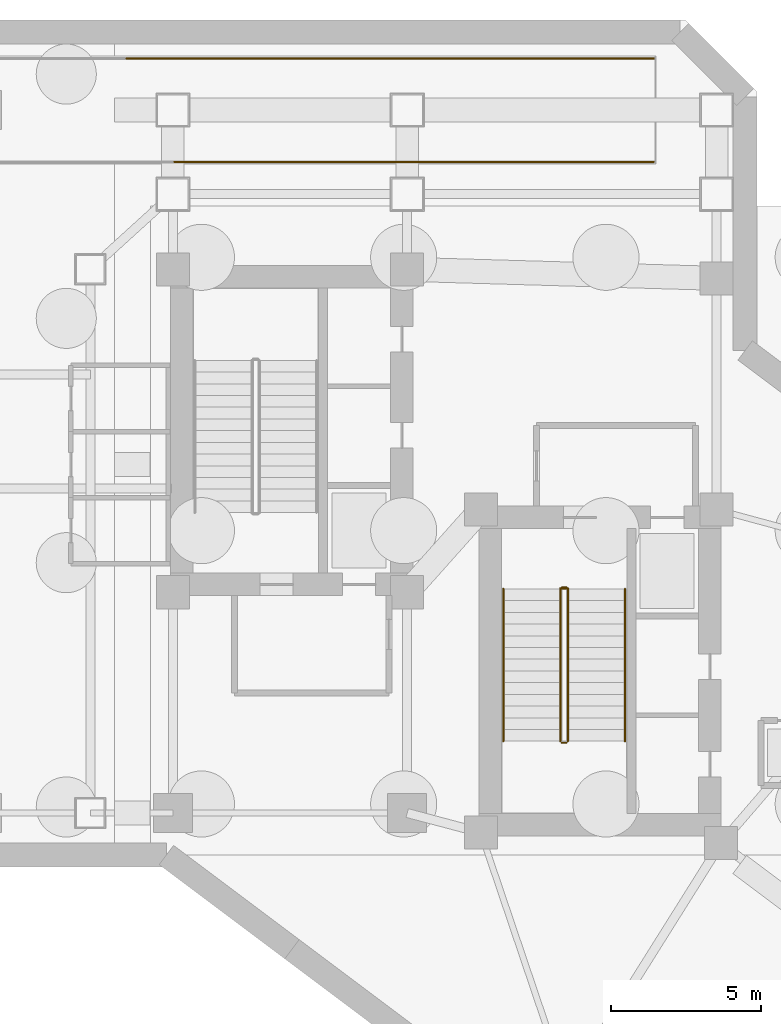
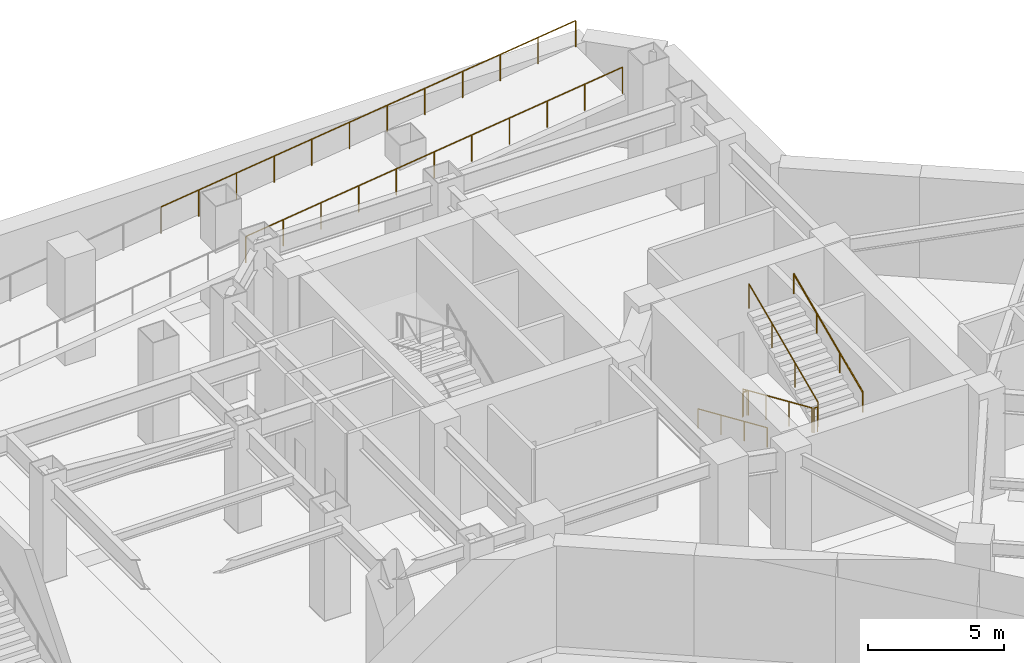
# One storey, part 8 of 9: 28 railings.
"""IFC4 building model written with IfcOpenShell, lengths in metres."""

from ifc_helpers import new_model, si_unit, direction, frame, origin, origin_2d, place, context, subcontext, project, spatial, circle, extrude, material, layer, layer_set, type_object, element, save


model = new_model("IFC4")

# Units and contexts
model_context = context("Model", 3, precision=1e-05, world=origin(), true_north=direction((0.0, 1.0)))
body_context = subcontext(model_context, "Body", "Model", "MODEL_VIEW")
ifc_project = project(units=[si_unit("LENGTHUNIT", "METRE"), si_unit("AREAUNIT", "SQUARE_METRE"), si_unit("VOLUMEUNIT", "CUBIC_METRE"), si_unit("PLANEANGLEUNIT", "RADIAN"), si_unit("MASSUNIT", "GRAM", prefix="KILO")], contexts=[model_context])

# Site, building, storey
site_placement = place(None, origin())
site = spatial("IfcSite", under=ifc_project, at=site_placement, CompositionType="ELEMENT")
building_placement = place(site_placement, origin())
building = spatial("IfcBuilding", under=site, at=building_placement, Name="Hatsunagi Terrace Concourse", CompositionType="ELEMENT")
storey_placement = place(building_placement, frame((0.0, 0.0, -9.60009765625)))
storey = spatial("IfcBuildingStorey", under=building, at=storey_placement, Name="B02", CompositionType="ELEMENT", Elevation=-9.60009765625)

# Railings
ifc_material_1 = material(Name="Stainless steel", Category="steel")
ifc_layer_1 = layer(ifc_material_1, 0.044921875)
ifc_layer_set_1 = layer_set([ifc_layer_1], Name="StairPitchHandrail_Tower2000")
railing_type_1 = type_object("IfcRailingType", Name="StairPitchHandrail_Tower2000", PredefinedType="HANDRAIL", material=ifc_layer_set_1)
railing_1_placement = place(storey_placement, frame((36.550048828125, 32.659912109375, 0.171630859375)))
element("IfcRailing", 1, at=railing_1_placement, inside=storey, type_object=railing_type_1, Name="B02 ST-B stair handrail 1", PredefinedType="HANDRAIL", context=body_context, shape_type="SweptSolid", body=[
    extrude(circle(Radius=0.02392578125, at=origin_2d()), frame((0.0, 0.0, 0.8759765625), z_axis=(0.0, -0.915461880969, 0.402404702373), x_axis=(1.0, 0.0, 0.0)), (0.0, 0.0, 1.0), 5.5380859375),
    extrude(circle(Radius=0.02099609375, at=origin_2d()), origin(), (0.0, 0.0, 1.0), 0.851806640625),
    extrude(circle(Radius=0.02099609375, at=origin_2d()), frame((0.0, -1.68994140625, 0.742919921875)), (0.0, 0.0, 1.0), 0.851806640625),
    extrude(circle(Radius=0.02099609375, at=origin_2d()), frame((0.0, -3.3798828125, 1.485595703125)), (0.0, 0.0, 1.0), 0.851806640625),
    extrude(circle(Radius=0.02099609375, at=origin_2d()), frame((0.0, -5.06982421875, 2.228515625)), (0.0, 0.0, 1.0), 0.851806640625),
])
railing_2_placement = place(storey_placement, frame((40.60009765625, 27.590087890625, 2.571533203125)))
element("IfcRailing", 2, at=railing_2_placement, inside=storey, type_object=railing_type_1, Name="B02 ST-B stair handrail 2", PredefinedType="HANDRAIL", context=body_context, shape_type="SweptSolid", body=[
    extrude(circle(Radius=0.02392578125, at=origin_2d()), frame((0.0, 0.0, 0.8759765625), z_axis=(0.0, 0.915461880969, 0.402404702373), x_axis=(-1.0, 0.0, 0.0)), (0.0, 0.0, 1.0), 5.5380859375),
    extrude(circle(Radius=0.02099609375, at=origin_2d()), origin(), (0.0, 0.0, 1.0), 0.851806640625),
    extrude(circle(Radius=0.02099609375, at=origin_2d()), frame((0.0, 1.68994140625, 0.742919921875)), (0.0, 0.0, 1.0), 0.851806640625),
    extrude(circle(Radius=0.02099609375, at=origin_2d()), frame((0.0, 3.3798828125, 1.485595703125)), (0.0, 0.0, 1.0), 0.851806640625),
    extrude(circle(Radius=0.02099609375, at=origin_2d()), frame((0.0, 5.06982421875, 2.228515625)), (0.0, 0.0, 1.0), 0.851806640625),
])
ifc_material_2 = material(Name="Stainless steel", Category="steel")
ifc_layer_2 = layer(ifc_material_2, 0.06005859375)
ifc_layer_set_2 = layer_set([ifc_layer_2], Name="StairWellGuard_Tower2000")
railing_type_2 = type_object("IfcRailingType", Name="StairWellGuard_Tower2000", PredefinedType="BALUSTRADE", material=ifc_layer_set_2)
railing_3_placement = place(storey_placement, frame((38.449951171875, 32.659912109375, 0.171630859375)))
element("IfcRailing", 3, at=railing_3_placement, inside=storey, type_object=railing_type_2, Name="B02 ST-B stair guard 1", PredefinedType="BALUSTRADE", context=body_context, shape_type="SweptSolid", body=[
    extrude(circle(Radius=0.02392578125, at=origin_2d()), frame((0.0, 0.0, 1.09619140625), z_axis=(0.0, -0.915461880969, 0.402404702373), x_axis=(1.0, 0.0, 0.0)), (0.0, 0.0, 1.0), 5.5380859375),
    extrude(circle(Radius=0.02099609375, at=origin_2d()), origin(), (0.0, 0.0, 1.0), 1.072021484375),
    extrude(circle(Radius=0.02099609375, at=origin_2d()), frame((0.0, -1.68994140625, 0.742919921875)), (0.0, 0.0, 1.0), 1.072021484375),
    extrude(circle(Radius=0.02099609375, at=origin_2d()), frame((0.0, -3.3798828125, 1.485595703125)), (0.0, 0.0, 1.0), 1.072021484375),
    extrude(circle(Radius=0.02099609375, at=origin_2d()), frame((0.0, -5.06982421875, 2.228515625)), (0.0, 0.0, 1.0), 1.072021484375),
])
railing_4_placement = place(storey_placement, frame((38.5, 27.5400390625, 2.400146484375)))
element("IfcRailing", 4, at=railing_4_placement, inside=storey, type_object=railing_type_2, Name="B02 ST-B stair guard 2", PredefinedType="BALUSTRADE", context=body_context, shape_type="SweptSolid", body=[
    extrude(circle(Radius=0.02392578125, at=origin_2d()), frame((0.0, 0.0, 1.09619140625), z_axis=(1.0, 0.0, 0.0), x_axis=(0.0, 1.0, 0.0)), (0.0, 0.0, 1.0), 0.14990234375),
    extrude(circle(Radius=0.02099609375, at=origin_2d()), origin(), (0.0, 0.0, 1.0), 1.072021484375),
    extrude(circle(Radius=0.02099609375, at=origin_2d()), frame((0.14990234375, 0.0, 0.0)), (0.0, 0.0, 1.0), 1.072021484375),
])
railing_5_placement = place(storey_placement, frame((38.699951171875, 27.590087890625, 2.571533203125)))
element("IfcRailing", 5, at=railing_5_placement, inside=storey, type_object=railing_type_2, Name="B02 ST-B stair guard 3", PredefinedType="BALUSTRADE", context=body_context, shape_type="SweptSolid", body=[
    extrude(circle(Radius=0.02392578125, at=origin_2d()), frame((0.0, 0.0, 1.09619140625), z_axis=(0.0, 0.915461880969, 0.402404702373), x_axis=(-1.0, 0.0, 0.0)), (0.0, 0.0, 1.0), 5.5380859375),
    extrude(circle(Radius=0.02099609375, at=origin_2d()), origin(), (0.0, 0.0, 1.0), 1.072021484375),
    extrude(circle(Radius=0.02099609375, at=origin_2d()), frame((0.0, 1.68994140625, 0.742919921875)), (0.0, 0.0, 1.0), 1.072021484375),
    extrude(circle(Radius=0.02099609375, at=origin_2d()), frame((0.0, 3.3798828125, 1.485595703125)), (0.0, 0.0, 1.0), 1.072021484375),
    extrude(circle(Radius=0.02099609375, at=origin_2d()), frame((0.0, 5.06982421875, 2.228515625)), (0.0, 0.0, 1.0), 1.072021484375),
])
railing_6_placement = place(storey_placement, frame((38.5, 32.7099609375, 0.0)))
element("IfcRailing", 6, at=railing_6_placement, inside=storey, type_object=railing_type_2, Name="B02 ST-B stair guard 4", PredefinedType="BALUSTRADE", context=body_context, shape_type="SweptSolid", body=[
    extrude(circle(Radius=0.02392578125, at=origin_2d()), frame((0.0, 0.0, 1.09619140625), z_axis=(1.0, 0.0, 0.0), x_axis=(0.0, 1.0, 0.0)), (0.0, 0.0, 1.0), 0.14990234375),
    extrude(circle(Radius=0.02099609375, at=origin_2d()), origin(), (0.0, 0.0, 1.0), 1.072021484375),
    extrude(circle(Radius=0.02099609375, at=origin_2d()), frame((0.14990234375, 0.0, 0.0)), (0.0, 0.0, 1.0), 1.072021484375),
])
ifc_material_3 = material(Name="Stainless Steel SUS316 Post-and-Rail Guard", Category="steel")
ifc_layer_3 = layer(ifc_material_3, 0.080078125)
ifc_layer_set_3 = layer_set([ifc_layer_3], Name="TerracePlantedGuardRail_1200")
railing_type_3 = type_object("IfcRailingType", Name="TerracePlantedGuardRail_1200", PredefinedType="GUARDRAIL", material=ifc_layer_set_3)
railing_7_placement = place(storey_placement, frame((38.449951171875, 32.679931640625, 0.0)))
element("IfcRailing", 7, at=railing_7_placement, inside=storey, type_object=railing_type_3, Name="Stair ST-B Well Closure Guard B02", PredefinedType="GUARDRAIL", context=body_context, shape_type="SweptSolid", body=[
    extrude(circle(Radius=0.02392578125, at=origin_2d()), frame((0.0, 0.0, 1.09619140625), z_axis=(1.0, 0.0, 0.0), x_axis=(0.0, 1.0, 0.0)), (0.0, 0.0, 1.0), 0.25),
    extrude(circle(Radius=0.02099609375, at=origin_2d()), origin(), (0.0, 0.0, 1.0), 1.072021484375),
    extrude(circle(Radius=0.02099609375, at=origin_2d()), frame((0.25, 0.0, 0.0)), (0.0, 0.0, 1.0), 1.072021484375),
])
railing_8_placement = place(storey_placement, frame((25.596923828125, 46.8798828125, 2.800048828125)))
element("IfcRailing", 8, at=railing_8_placement, inside=storey, type_object=railing_type_3, Name="B02 Vehicle Ramp R1 Sloped Side Guardrail GRD-02 S #15", PredefinedType="GUARDRAIL", context=body_context, shape_type="SweptSolid", body=[
    extrude(circle(Radius=0.02392578125, at=origin_2d()), frame((0.0, 0.0, 1.17578125), z_axis=(0.992327053043, 0.0, 0.123640688281), x_axis=(0.0, 1.0, 0.0)), (0.0, 0.0, 1.0), 1.601318359375),
    extrude(circle(Radius=0.02099609375, at=origin_2d()), origin(), (0.0, 0.0, 1.0), 1.15185546875),
    extrude(circle(Radius=0.02099609375, at=origin_2d()), frame((1.589111328125, 0.0, 0.197998046875)), (0.0, 0.0, 1.0), 1.15185546875),
])
railing_9_placement = place(storey_placement, frame((27.194091796875, 46.8798828125, 2.9990234375)))
element("IfcRailing", 9, at=railing_9_placement, inside=storey, type_object=railing_type_3, Name="B02 Vehicle Ramp R1 Sloped Side Guardrail GRD-02 S #16", PredefinedType="GUARDRAIL", context=body_context, shape_type="SweptSolid", body=[
    extrude(circle(Radius=0.02392578125, at=origin_2d()), frame((0.0, 0.0, 1.17578125), z_axis=(0.992249703566, 0.0, 0.124259912171), x_axis=(0.0, 1.0, 0.0)), (0.0, 0.0, 1.0), 1.601318359375),
    extrude(circle(Radius=0.02099609375, at=origin_2d()), origin(), (0.0, 0.0, 1.0), 1.15185546875),
    extrude(circle(Radius=0.02099609375, at=origin_2d()), frame((1.5888671875, 0.0, 0.198974609375)), (0.0, 0.0, 1.0), 1.15185546875),
])
railing_10_placement = place(storey_placement, frame((28.791015625, 46.8798828125, 3.19921875)))
element("IfcRailing", 10, at=railing_10_placement, inside=storey, type_object=railing_type_3, Name="B02 Vehicle Ramp R1 Sloped Side Guardrail GRD-02 S #17", PredefinedType="GUARDRAIL", context=body_context, shape_type="SweptSolid", body=[
    extrude(circle(Radius=0.02392578125, at=origin_2d()), frame((0.0, 0.0, 1.17578125), z_axis=(0.992315386925, 0.0, 0.123734283333), x_axis=(0.0, 1.0, 0.0)), (0.0, 0.0, 1.0), 1.60009765625),
    extrude(circle(Radius=0.02099609375, at=origin_2d()), origin(), (0.0, 0.0, 1.0), 1.15185546875),
    extrude(circle(Radius=0.02099609375, at=origin_2d()), frame((1.587890625, 0.0, 0.197998046875)), (0.0, 0.0, 1.0), 1.15185546875),
])
for number, where, name in (
    (11, (30.386962890625, 46.8798828125, 3.398193359375), "B02 Vehicle Ramp R1 Sloped Side Guardrail GRD-02 S #18"),
    (12, (31.98388671875, 46.8798828125, 3.59814453125), "B02 Vehicle Ramp R1 Sloped Side Guardrail GRD-02 S #19"),
):
    element("IfcRailing", number, at=place(storey_placement, frame(where)), inside=storey, type_object=railing_type_3, Name=name, PredefinedType="GUARDRAIL", context=body_context, shape_type="SweptSolid", body=[
        extrude(circle(Radius=0.02392578125, at=origin_2d()), frame((0.0, 0.0, 1.17578125), z_axis=(0.99225205719, 0.0, 0.124241116394), x_axis=(0.0, 1.0, 0.0)), (0.0, 0.0, 1.0), 1.6015625),
        extrude(circle(Radius=0.02099609375, at=origin_2d()), origin(), (0.0, 0.0, 1.0), 1.15185546875),
        extrude(circle(Radius=0.02099609375, at=origin_2d()), frame((1.589111328125, 0.0, 0.198974609375)), (0.0, 0.0, 1.0), 1.15185546875),
    ])
railing_11_placement = place(storey_placement, frame((33.5810546875, 46.8798828125, 3.798095703125)))
element("IfcRailing", 13, at=railing_11_placement, inside=storey, type_object=railing_type_3, Name="B02 Vehicle Ramp R1 Sloped Side Guardrail GRD-02 S #20", PredefinedType="GUARDRAIL", context=body_context, shape_type="SweptSolid", body=[
    extrude(circle(Radius=0.02392578125, at=origin_2d()), frame((0.0, 0.0, 1.17578125), z_axis=(0.992315386925, 0.0, 0.123734283333), x_axis=(0.0, 1.0, 0.0)), (0.0, 0.0, 1.0), 1.60009765625),
    extrude(circle(Radius=0.02099609375, at=origin_2d()), origin(), (0.0, 0.0, 1.0), 1.15185546875),
    extrude(circle(Radius=0.02099609375, at=origin_2d()), frame((1.587890625, 0.0, 0.197998046875)), (0.0, 0.0, 1.0), 1.15185546875),
])
railing_12_placement = place(storey_placement, frame((35.177001953125, 46.8798828125, 3.9970703125)))
element("IfcRailing", 14, at=railing_12_placement, inside=storey, type_object=railing_type_3, Name="B02 Vehicle Ramp R1 Sloped Side Guardrail GRD-02 S #21", PredefinedType="GUARDRAIL", context=body_context, shape_type="SweptSolid", body=[
    extrude(circle(Radius=0.02392578125, at=origin_2d()), frame((0.0, 0.0, 1.17578125), z_axis=(0.99225205719, 0.0, 0.124241116394), x_axis=(0.0, 1.0, 0.0)), (0.0, 0.0, 1.0), 1.6015625),
    extrude(circle(Radius=0.02099609375, at=origin_2d()), origin(), (0.0, 0.0, 1.0), 1.15185546875),
    extrude(circle(Radius=0.02099609375, at=origin_2d()), frame((1.589111328125, 0.0, 0.198974609375)), (0.0, 0.0, 1.0), 1.15185546875),
])
railing_13_placement = place(storey_placement, frame((36.77392578125, 46.8798828125, 4.197021484375)))
element("IfcRailing", 15, at=railing_13_placement, inside=storey, type_object=railing_type_3, Name="B02 Vehicle Ramp R1 Sloped Side Guardrail GRD-02 S #22", PredefinedType="GUARDRAIL", context=body_context, shape_type="SweptSolid", body=[
    extrude(circle(Radius=0.02392578125, at=origin_2d()), frame((0.0, 0.0, 1.17578125), z_axis=(0.992327053043, 0.0, 0.123640688281), x_axis=(0.0, 1.0, 0.0)), (0.0, 0.0, 1.0), 1.601318359375),
    extrude(circle(Radius=0.02099609375, at=origin_2d()), origin(), (0.0, 0.0, 1.0), 1.15185546875),
    extrude(circle(Radius=0.02099609375, at=origin_2d()), frame((1.589111328125, 0.0, 0.197998046875)), (0.0, 0.0, 1.0), 1.15185546875),
])
railing_14_placement = place(storey_placement, frame((38.37109375, 46.8798828125, 4.39599609375)))
element("IfcRailing", 16, at=railing_14_placement, inside=storey, type_object=railing_type_3, Name="B02 Vehicle Ramp R1 Sloped Side Guardrail GRD-02 S #23", PredefinedType="GUARDRAIL", context=body_context, shape_type="SweptSolid", body=[
    extrude(circle(Radius=0.02392578125, at=origin_2d()), frame((0.0, 0.0, 1.17578125), z_axis=(0.99222144618, 0.0, 0.124485347491), x_axis=(0.0, 1.0, 0.0)), (0.0, 0.0, 1.0), 1.600341796875),
    extrude(circle(Radius=0.02099609375, at=origin_2d()), origin(), (0.0, 0.0, 1.0), 1.15185546875),
    extrude(circle(Radius=0.02099609375, at=origin_2d()), frame((1.587890625, 0.0, 0.19921875)), (0.0, 0.0, 1.0), 1.15185546875),
])
railing_15_placement = place(storey_placement, frame((39.967041015625, 46.8798828125, 4.59619140625)))
element("IfcRailing", 17, at=railing_15_placement, inside=storey, type_object=railing_type_3, Name="B02 Vehicle Ramp R1 Sloped Side Guardrail GRD-02 S #24", PredefinedType="GUARDRAIL", context=body_context, shape_type="SweptSolid", body=[
    extrude(circle(Radius=0.02392578125, at=origin_2d()), frame((0.0, 0.0, 1.17578125), z_axis=(0.99228957038, 0.0, 0.123941149404), x_axis=(0.0, 1.0, 0.0)), (0.0, 0.0, 1.0), 1.60546875),
    extrude(circle(Radius=0.02099609375, at=origin_2d()), origin(), (0.0, 0.0, 1.0), 1.15185546875),
    extrude(circle(Radius=0.02099609375, at=origin_2d()), frame((1.593017578125, 0.0, 0.198974609375)), (0.0, 0.0, 1.0), 1.15185546875),
])
railing_16_placement = place(storey_placement, frame((24.0009765625, 50.320068359375, 2.60009765625)))
element("IfcRailing", 18, at=railing_16_placement, inside=storey, type_object=railing_type_3, Name="B02 Vehicle Ramp R1 Sloped Side Guardrail GRD-02 N #14", PredefinedType="GUARDRAIL", context=body_context, shape_type="SweptSolid", body=[
    extrude(circle(Radius=0.02392578125, at=origin_2d()), frame((0.0, 0.0, 1.17578125), z_axis=(0.992242636283, 0.0, 0.12431633337), x_axis=(0.0, 1.0, 0.0)), (0.0, 0.0, 1.0), 1.6005859375),
    extrude(circle(Radius=0.02099609375, at=origin_2d()), origin(), (0.0, 0.0, 1.0), 1.15185546875),
    extrude(circle(Radius=0.02099609375, at=origin_2d()), frame((1.588134765625, 0.0, 0.198974609375)), (0.0, 0.0, 1.0), 1.15185546875),
])
railing_17_placement = place(storey_placement, frame((25.596923828125, 50.320068359375, 2.800048828125)))
element("IfcRailing", 19, at=railing_17_placement, inside=storey, type_object=railing_type_3, Name="B02 Vehicle Ramp R1 Sloped Side Guardrail GRD-02 N #15", PredefinedType="GUARDRAIL", context=body_context, shape_type="SweptSolid", body=[
    extrude(circle(Radius=0.02392578125, at=origin_2d()), frame((0.0, 0.0, 1.17578125), z_axis=(0.992327053043, 0.0, 0.123640688281), x_axis=(0.0, 1.0, 0.0)), (0.0, 0.0, 1.0), 1.601318359375),
    extrude(circle(Radius=0.02099609375, at=origin_2d()), origin(), (0.0, 0.0, 1.0), 1.15185546875),
    extrude(circle(Radius=0.02099609375, at=origin_2d()), frame((1.589111328125, 0.0, 0.197998046875)), (0.0, 0.0, 1.0), 1.15185546875),
])
railing_18_placement = place(storey_placement, frame((27.194091796875, 50.320068359375, 2.9990234375)))
element("IfcRailing", 20, at=railing_18_placement, inside=storey, type_object=railing_type_3, Name="B02 Vehicle Ramp R1 Sloped Side Guardrail GRD-02 N #16", PredefinedType="GUARDRAIL", context=body_context, shape_type="SweptSolid", body=[
    extrude(circle(Radius=0.02392578125, at=origin_2d()), frame((0.0, 0.0, 1.17578125), z_axis=(0.992249703566, 0.0, 0.124259912171), x_axis=(0.0, 1.0, 0.0)), (0.0, 0.0, 1.0), 1.601318359375),
    extrude(circle(Radius=0.02099609375, at=origin_2d()), origin(), (0.0, 0.0, 1.0), 1.15185546875),
    extrude(circle(Radius=0.02099609375, at=origin_2d()), frame((1.5888671875, 0.0, 0.198974609375)), (0.0, 0.0, 1.0), 1.15185546875),
])
railing_19_placement = place(storey_placement, frame((28.791015625, 50.320068359375, 3.19921875)))
element("IfcRailing", 21, at=railing_19_placement, inside=storey, type_object=railing_type_3, Name="B02 Vehicle Ramp R1 Sloped Side Guardrail GRD-02 N #17", PredefinedType="GUARDRAIL", context=body_context, shape_type="SweptSolid", body=[
    extrude(circle(Radius=0.02392578125, at=origin_2d()), frame((0.0, 0.0, 1.17578125), z_axis=(0.992315386925, 0.0, 0.123734283333), x_axis=(0.0, 1.0, 0.0)), (0.0, 0.0, 1.0), 1.60009765625),
    extrude(circle(Radius=0.02099609375, at=origin_2d()), origin(), (0.0, 0.0, 1.0), 1.15185546875),
    extrude(circle(Radius=0.02099609375, at=origin_2d()), frame((1.587890625, 0.0, 0.197998046875)), (0.0, 0.0, 1.0), 1.15185546875),
])
for number, where, name in (
    (22, (30.386962890625, 50.320068359375, 3.398193359375), "B02 Vehicle Ramp R1 Sloped Side Guardrail GRD-02 N #18"),
    (23, (31.98388671875, 50.320068359375, 3.59814453125), "B02 Vehicle Ramp R1 Sloped Side Guardrail GRD-02 N #19"),
):
    element("IfcRailing", number, at=place(storey_placement, frame(where)), inside=storey, type_object=railing_type_3, Name=name, PredefinedType="GUARDRAIL", context=body_context, shape_type="SweptSolid", body=[
        extrude(circle(Radius=0.02392578125, at=origin_2d()), frame((0.0, 0.0, 1.17578125), z_axis=(0.99225205719, 0.0, 0.124241116394), x_axis=(0.0, 1.0, 0.0)), (0.0, 0.0, 1.0), 1.6015625),
        extrude(circle(Radius=0.02099609375, at=origin_2d()), origin(), (0.0, 0.0, 1.0), 1.15185546875),
        extrude(circle(Radius=0.02099609375, at=origin_2d()), frame((1.589111328125, 0.0, 0.198974609375)), (0.0, 0.0, 1.0), 1.15185546875),
    ])
railing_20_placement = place(storey_placement, frame((33.5810546875, 50.320068359375, 3.798095703125)))
element("IfcRailing", 24, at=railing_20_placement, inside=storey, type_object=railing_type_3, Name="B02 Vehicle Ramp R1 Sloped Side Guardrail GRD-02 N #20", PredefinedType="GUARDRAIL", context=body_context, shape_type="SweptSolid", body=[
    extrude(circle(Radius=0.02392578125, at=origin_2d()), frame((0.0, 0.0, 1.17578125), z_axis=(0.992315386925, 0.0, 0.123734283333), x_axis=(0.0, 1.0, 0.0)), (0.0, 0.0, 1.0), 1.60009765625),
    extrude(circle(Radius=0.02099609375, at=origin_2d()), origin(), (0.0, 0.0, 1.0), 1.15185546875),
    extrude(circle(Radius=0.02099609375, at=origin_2d()), frame((1.587890625, 0.0, 0.197998046875)), (0.0, 0.0, 1.0), 1.15185546875),
])
railing_21_placement = place(storey_placement, frame((35.177001953125, 50.320068359375, 3.9970703125)))
element("IfcRailing", 25, at=railing_21_placement, inside=storey, type_object=railing_type_3, Name="B02 Vehicle Ramp R1 Sloped Side Guardrail GRD-02 N #21", PredefinedType="GUARDRAIL", context=body_context, shape_type="SweptSolid", body=[
    extrude(circle(Radius=0.02392578125, at=origin_2d()), frame((0.0, 0.0, 1.17578125), z_axis=(0.99225205719, 0.0, 0.124241116394), x_axis=(0.0, 1.0, 0.0)), (0.0, 0.0, 1.0), 1.6015625),
    extrude(circle(Radius=0.02099609375, at=origin_2d()), origin(), (0.0, 0.0, 1.0), 1.15185546875),
    extrude(circle(Radius=0.02099609375, at=origin_2d()), frame((1.589111328125, 0.0, 0.198974609375)), (0.0, 0.0, 1.0), 1.15185546875),
])
railing_22_placement = place(storey_placement, frame((36.77392578125, 50.320068359375, 4.197021484375)))
element("IfcRailing", 26, at=railing_22_placement, inside=storey, type_object=railing_type_3, Name="B02 Vehicle Ramp R1 Sloped Side Guardrail GRD-02 N #22", PredefinedType="GUARDRAIL", context=body_context, shape_type="SweptSolid", body=[
    extrude(circle(Radius=0.02392578125, at=origin_2d()), frame((0.0, 0.0, 1.17578125), z_axis=(0.992327053043, 0.0, 0.123640688281), x_axis=(0.0, 1.0, 0.0)), (0.0, 0.0, 1.0), 1.601318359375),
    extrude(circle(Radius=0.02099609375, at=origin_2d()), origin(), (0.0, 0.0, 1.0), 1.15185546875),
    extrude(circle(Radius=0.02099609375, at=origin_2d()), frame((1.589111328125, 0.0, 0.197998046875)), (0.0, 0.0, 1.0), 1.15185546875),
])
railing_23_placement = place(storey_placement, frame((38.37109375, 50.320068359375, 4.39599609375)))
element("IfcRailing", 27, at=railing_23_placement, inside=storey, type_object=railing_type_3, Name="B02 Vehicle Ramp R1 Sloped Side Guardrail GRD-02 N #23", PredefinedType="GUARDRAIL", context=body_context, shape_type="SweptSolid", body=[
    extrude(circle(Radius=0.02392578125, at=origin_2d()), frame((0.0, 0.0, 1.17578125), z_axis=(0.99222144618, 0.0, 0.124485347491), x_axis=(0.0, 1.0, 0.0)), (0.0, 0.0, 1.0), 1.600341796875),
    extrude(circle(Radius=0.02099609375, at=origin_2d()), origin(), (0.0, 0.0, 1.0), 1.15185546875),
    extrude(circle(Radius=0.02099609375, at=origin_2d()), frame((1.587890625, 0.0, 0.19921875)), (0.0, 0.0, 1.0), 1.15185546875),
])
railing_24_placement = place(storey_placement, frame((39.967041015625, 50.320068359375, 4.59619140625)))
element("IfcRailing", 28, at=railing_24_placement, inside=storey, type_object=railing_type_3, Name="B02 Vehicle Ramp R1 Sloped Side Guardrail GRD-02 N #24", PredefinedType="GUARDRAIL", context=body_context, shape_type="SweptSolid", body=[
    extrude(circle(Radius=0.02392578125, at=origin_2d()), frame((0.0, 0.0, 1.17578125), z_axis=(0.99228957038, 0.0, 0.123941149404), x_axis=(0.0, 1.0, 0.0)), (0.0, 0.0, 1.0), 1.60546875),
    extrude(circle(Radius=0.02099609375, at=origin_2d()), origin(), (0.0, 0.0, 1.0), 1.15185546875),
    extrude(circle(Radius=0.02099609375, at=origin_2d()), frame((1.593017578125, 0.0, 0.198974609375)), (0.0, 0.0, 1.0), 1.15185546875),
])

save(model, "model.ifc")
